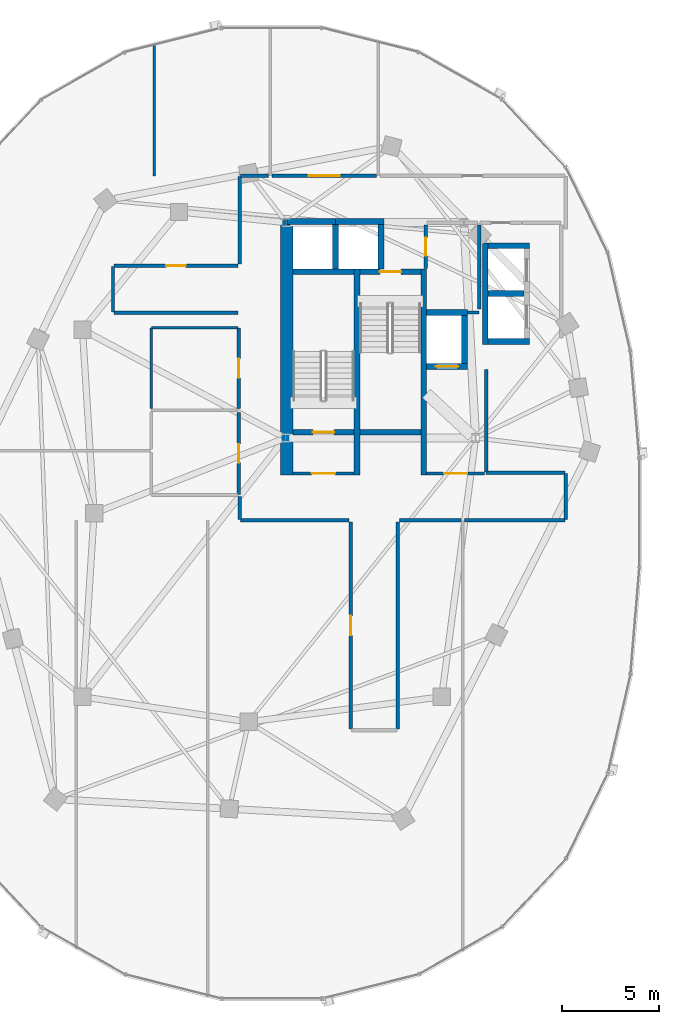
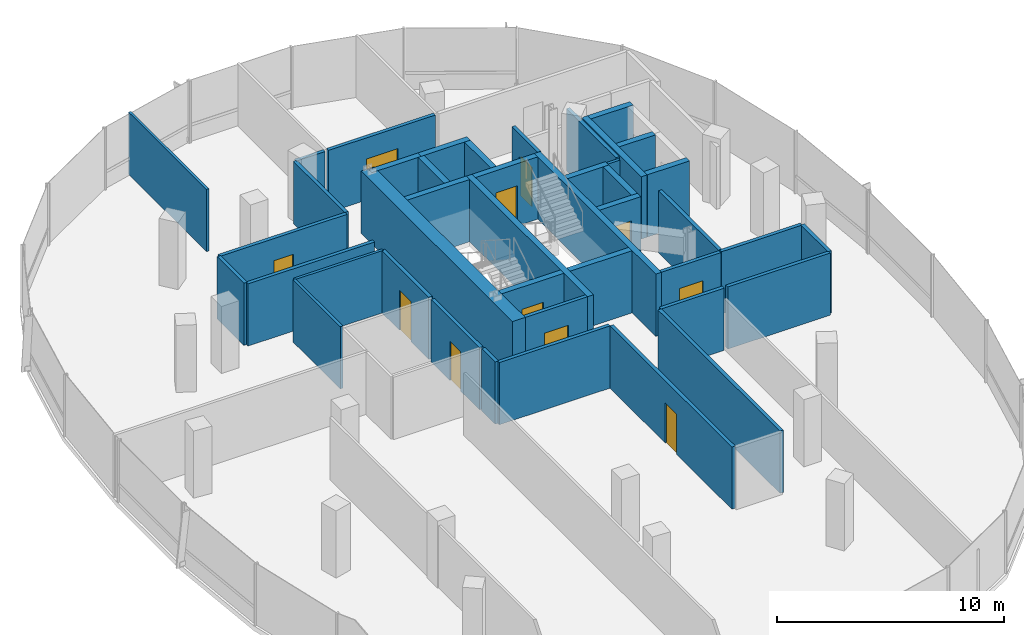
# One storey, part 15 of 25: 43 walls, 11 doors, 11 openings.
"""IFC4 building model written with IfcOpenShell, lengths in metres."""

from ifc_helpers import new_model, si_unit, direction, frame, frame_2d, origin, place, context, subcontext, project, spatial, rectangle, extrude, material, layer, layer_set, type_object, element, fill, save


model = new_model("IFC4")

# Units and contexts
model_context = context("Model", 3, precision=1e-05, world=origin(), true_north=direction((0.0, 1.0)))
body_context = subcontext(model_context, "Body", "Model", "MODEL_VIEW")
ifc_project = project(units=[si_unit("LENGTHUNIT", "METRE"), si_unit("AREAUNIT", "SQUARE_METRE"), si_unit("VOLUMEUNIT", "CUBIC_METRE"), si_unit("PLANEANGLEUNIT", "RADIAN"), si_unit("MASSUNIT", "GRAM", prefix="KILO"), si_unit("THERMODYNAMICTEMPERATUREUNIT", "KELVIN"), si_unit("POWERUNIT", "WATT")], contexts=[model_context])

# Site, building, storey
site_placement = place(None, origin())
site = spatial("IfcSite", under=ifc_project, at=site_placement, CompositionType="ELEMENT")
building_placement = place(site_placement, origin())
building = spatial("IfcBuilding", under=site, at=building_placement, Name="Cundina Bronze Exchange", CompositionType="ELEMENT")
storey_placement = place(building_placement, frame((0.0, 0.0, 191.800048828125)))
storey = spatial("IfcBuildingStorey", under=building, at=storey_placement, Name="L50", CompositionType="ELEMENT", Elevation=191.800048828125)

# Wall
ifc_material_1 = material(Name="Gypsum Fireboard Partition EI120")
ifc_layer_1 = layer(ifc_material_1, 0.179931640625, Name="Gypsum Fireboard Partition EI120")
ifc_layer_set_1 = layer_set([ifc_layer_1], Name="Gypsum Fireboard Partition EI120")
wall_type_1 = type_object("IfcWallType", Name="WL-COR-180", PredefinedType="PARTITIONING", material=ifc_layer_set_1)
wall_1_placement = place(storey_placement, frame((-20.889892578125, 2.14990234375, 0.0), z_axis=(0.0, 0.0, 1.0), x_axis=(0.0, 1.0, 0.0)))
element("IfcWall", 1, at=wall_1_placement, inside=storey, type_object=wall_type_1, Name="L50 W Firefighting Lobby Side Wall", PredefinedType="PARTITIONING", context=body_context, shape_type="SweptSolid", body=[
    extrude(rectangle(XDim=5.300048828125, YDim=0.179931640625, at=frame_2d((2.64990234375, 0.0))), origin(), (0.0, 0.0, 1.0), 3.33984375),
])

# Wall, opening, door
wall_2_placement = place(storey_placement, frame((-23.97998046875, 2.06005859375, 0.0), z_axis=(0.0, 0.0, 1.0), x_axis=(1.0, 0.0, 0.0)))
wall_2 = element("IfcWall", 2, at=wall_2_placement, inside=storey, type_object=wall_type_1, Name="L50 W Firefighting Lobby Exit Wall", PredefinedType="PARTITIONING", context=body_context, shape_type="SweptSolid", body=[
    extrude(rectangle(XDim=3.0, YDim=0.179931640625, at=frame_2d((1.5, 0.0))), origin(), (0.0, 0.0, 1.0), 3.33984375),
])
opening_1_placement = place(wall_2_placement, frame((0.89990234375, 0.0, 0.0)))
opening_1 = element("IfcOpeningElement", 3, at=opening_1_placement, cuts=wall_2, Name="Opening DF-01", PredefinedType="OPENING", context=body_context, shape_type="SweptSolid", body=[
    extrude(rectangle(XDim=1.199951171875, YDim=2.14990234375, at=frame_2d((0.60009765625, 1.074951171875))), frame((0.0, 0.099853515625, 0.0), z_axis=(0.0, -1.0, 0.0), x_axis=(1.0, 0.0, 0.0)), (0.0, 0.0, 1.0), 0.199951171875),
])
ifc_material_2 = material(Name="Steel ASTM A36 Painted", Category="steel")
door_type_1 = type_object("IfcDoorType", Name="DR-FFL-1200", OperationType="NOTDEFINED", PredefinedType="DOOR", material=ifc_material_2)
door_1_placement = place(opening_1_placement, origin())
door_1 = element("IfcDoor", 4, at=door_1_placement, inside=storey, type_object=door_type_1, Name="L50 W Firefighting Lobby Door", OperationType="SINGLE_SWING_RIGHT", OverallHeight=2.14990234375, OverallWidth=1.199951171875, PredefinedType="DOOR", context=body_context, shape_type="SweptSolid", body=[
    extrude(rectangle(XDim=1.199951171875, YDim=2.14990234375, at=frame_2d((0.60009765625, 1.074951171875))), frame((0.0, 0.02490234375, 0.0), z_axis=(0.0, -1.0, 0.0), x_axis=(1.0, 0.0, 0.0)), (0.0, 0.0, 1.0), 0.050048828125),
])
fill(opening_1, door_1)

wall_3_placement = place(storey_placement, frame((-30.89990234375, 2.06005859375, 0.0), z_axis=(0.0, 0.0, 1.0), x_axis=(1.0, 0.0, 0.0)))
wall_3 = element("IfcWall", 5, at=wall_3_placement, inside=storey, type_object=wall_type_1, Name="L50 W Stair Vestibule Exit Wall", PredefinedType="PARTITIONING", context=body_context, shape_type="SweptSolid", body=[
    extrude(rectangle(XDim=3.159912109375, YDim=0.179931640625, at=frame_2d((1.580078125, 0.0))), origin(), (0.0, 0.0, 1.0), 3.33984375),
])
opening_2_placement = place(wall_3_placement, frame((0.97998046875, 0.0, 0.0)))
opening_2 = element("IfcOpeningElement", 6, at=opening_2_placement, cuts=wall_3, Name="Opening DF-01", PredefinedType="OPENING", context=body_context, shape_type="SweptSolid", body=[
    extrude(rectangle(XDim=1.199951171875, YDim=2.14990234375, at=frame_2d((0.60009765625, 1.074951171875))), frame((0.0, 0.099853515625, 0.0), z_axis=(0.0, -1.0, 0.0), x_axis=(1.0, 0.0, 0.0)), (0.0, 0.0, 1.0), 0.199951171875),
])
door_2_placement = place(opening_2_placement, origin())
door_2 = element("IfcDoor", 7, at=door_2_placement, inside=storey, type_object=door_type_1, Name="L50 W Stair Vestibule Door", OperationType="SINGLE_SWING_LEFT", OverallHeight=2.14990234375, OverallWidth=1.199951171875, PredefinedType="DOOR", context=body_context, shape_type="SweptSolid", body=[
    extrude(rectangle(XDim=1.199951171875, YDim=2.14990234375, at=frame_2d((0.60009765625, 1.074951171875))), frame((0.0, 0.02490234375, 0.0), z_axis=(0.0, -1.0, 0.0), x_axis=(1.0, 0.0, 0.0)), (0.0, 0.0, 1.0), 0.050048828125),
])
fill(opening_2, door_2)

# Wall
wall_4_placement = place(storey_placement, frame((-21.25, 10.570068359375, 0.0), z_axis=(0.0, 0.0, 1.0), x_axis=(0.0, 1.0, 0.0)))
element("IfcWall", 8, at=wall_4_placement, inside=storey, type_object=wall_type_1, Name="L50 Interior Partition 005", PredefinedType="PARTITIONING", context=body_context, shape_type="SweptSolid", body=[
    extrude(rectangle(XDim=4.35986328125, YDim=0.179931640625, at=frame_2d((2.179931640625, 0.0))), origin(), (0.0, 0.0, 1.0), 3.33984375),
])

# Wall, opening, door
wall_5_placement = place(storey_placement, frame((-24.02001953125, 12.669921875, 0.0), z_axis=(0.0, 0.0, 1.0), x_axis=(0.0, 1.0, 0.0)))
wall_5 = element("IfcWall", 9, at=wall_5_placement, inside=storey, type_object=wall_type_1, Name="L50 Interior Partition 007", PredefinedType="PARTITIONING", context=body_context, shape_type="SweptSolid", body=[
    extrude(rectangle(XDim=2.260009765625, YDim=0.179931640625, at=frame_2d((1.1298828125, 0.0))), origin(), (0.0, 0.0, 1.0), 3.33984375),
])
opening_3_placement = place(wall_5_placement, frame((0.655029296875, 0.0, 0.0)))
opening_3 = element("IfcOpeningElement", 10, at=opening_3_placement, cuts=wall_5, Name="Opening DW-01", PredefinedType="OPENING", context=body_context, shape_type="SweptSolid", body=[
    extrude(rectangle(XDim=0.949951171875, YDim=2.10009765625, at=frame_2d((0.47509765625, 1.050048828125))), frame((0.0, 0.099853515625, 0.0), z_axis=(0.0, -1.0, 0.0), x_axis=(1.0, 0.0, 0.0)), (0.0, 0.0, 1.0), 0.199951171875),
])
ifc_material_3 = material(Name="Solid Andean Oak Timber Grade A", Category="wood")
door_type_2 = type_object("IfcDoorType", Name="DR-WC-950", OperationType="NOTDEFINED", PredefinedType="DOOR", material=ifc_material_3)
door_3_placement = place(opening_3_placement, origin())
door_3 = element("IfcDoor", 11, at=door_3_placement, inside=storey, type_object=door_type_2, Name="L50 Interior Door 007", OperationType="SINGLE_SWING_LEFT", OverallHeight=2.10009765625, OverallWidth=0.949951171875, PredefinedType="DOOR", context=body_context, shape_type="SweptSolid", body=[
    extrude(rectangle(XDim=0.949951171875, YDim=2.10009765625, at=frame_2d((0.47509765625, 1.050048828125))), frame((0.0, 0.02490234375, 0.0), z_axis=(0.0, -1.0, 0.0), x_axis=(1.0, 0.0, 0.0)), (0.0, 0.0, 1.0), 0.050048828125),
])
fill(opening_3, door_3)

wall_6_placement = place(storey_placement, frame((-33.719970703125, 0.969970703125, 0.0), z_axis=(0.0, 0.0, 1.0), x_axis=(0.0, 1.0, 0.0)))
wall_6 = element("IfcWall", 12, at=wall_6_placement, inside=storey, type_object=wall_type_1, Name="L50 Interior Partition 014", PredefinedType="PARTITIONING", context=body_context, shape_type="SweptSolid", body=[
    extrude(rectangle(XDim=4.260009765625, YDim=0.179931640625, at=frame_2d((2.1298828125, 0.0))), origin(), (0.0, 0.0, 1.0), 3.33984375),
])
opening_4_placement = place(wall_6_placement, frame((1.655029296875, 0.0, 0.0)))
opening_4 = element("IfcOpeningElement", 13, at=opening_4_placement, cuts=wall_6, Name="Opening DW-01", PredefinedType="OPENING", context=body_context, shape_type="SweptSolid", body=[
    extrude(rectangle(XDim=0.949951171875, YDim=2.10009765625, at=frame_2d((0.47509765625, 1.050048828125))), frame((0.0, 0.099853515625, 0.0), z_axis=(0.0, -1.0, 0.0), x_axis=(1.0, 0.0, 0.0)), (0.0, 0.0, 1.0), 0.199951171875),
])
door_4_placement = place(opening_4_placement, origin())
door_4 = element("IfcDoor", 14, at=door_4_placement, inside=storey, type_object=door_type_2, Name="L50 Interior Door 014", OperationType="SINGLE_SWING_LEFT", OverallHeight=2.10009765625, OverallWidth=0.949951171875, PredefinedType="DOOR", context=body_context, shape_type="SweptSolid", body=[
    extrude(rectangle(XDim=0.949951171875, YDim=2.10009765625, at=frame_2d((0.47509765625, 1.050048828125))), frame((0.0, 0.02490234375, 0.0), z_axis=(0.0, -1.0, 0.0), x_axis=(1.0, 0.0, 0.0)), (0.0, 0.0, 1.0), 0.050048828125),
])
fill(opening_4, door_4)

wall_7_placement = place(storey_placement, frame((-33.719970703125, 5.429931640625, 0.0), z_axis=(0.0, 0.0, 1.0), x_axis=(0.0, 1.0, 0.0)))
wall_7 = element("IfcWall", 15, at=wall_7_placement, inside=storey, type_object=wall_type_1, Name="L50 Interior Partition 015", PredefinedType="PARTITIONING", context=body_context, shape_type="SweptSolid", body=[
    extrude(rectangle(XDim=4.16015625, YDim=0.179931640625, at=frame_2d((2.080078125, 0.0))), origin(), (0.0, 0.0, 1.0), 3.33984375),
])
opening_5_placement = place(wall_7_placement, frame((1.580078125, 0.0, 0.0)))
opening_5 = element("IfcOpeningElement", 16, at=opening_5_placement, cuts=wall_7, Name="Opening DO-01", PredefinedType="OPENING", context=body_context, shape_type="SweptSolid", body=[
    extrude(rectangle(XDim=1.0, YDim=2.14990234375, at=frame_2d((0.5, 1.074951171875))), frame((0.0, 0.099853515625, 0.0), z_axis=(0.0, -1.0, 0.0), x_axis=(1.0, 0.0, 0.0)), (0.0, 0.0, 1.0), 0.199951171875),
])
door_type_3 = type_object("IfcDoorType", Name="DR-OFF-1000", OperationType="NOTDEFINED", PredefinedType="DOOR", material=ifc_material_3)
door_5_placement = place(opening_5_placement, origin())
door_5 = element("IfcDoor", 17, at=door_5_placement, inside=storey, type_object=door_type_3, Name="L50 Interior Door 015", OperationType="SINGLE_SWING_LEFT", OverallHeight=2.14990234375, OverallWidth=1.0, PredefinedType="DOOR", context=body_context, shape_type="SweptSolid", body=[
    extrude(rectangle(XDim=1.0, YDim=2.14990234375, at=frame_2d((0.5, 1.074951171875))), frame((0.0, 0.02490234375, 0.0), z_axis=(0.0, -1.0, 0.0), x_axis=(1.0, 0.0, 0.0)), (0.0, 0.0, 1.0), 0.050048828125),
])
fill(opening_5, door_5)

wall_8_placement = place(storey_placement, frame((-27.919921875, -0.449951171875, 0.0), z_axis=(0.0, 0.0, 1.0), x_axis=(0.0, -1.0, 0.0)))
wall_8 = element("IfcWall", 18, at=wall_8_placement, inside=storey, type_object=wall_type_1, Name="L50 Interior Partition 023", PredefinedType="PARTITIONING", context=body_context, shape_type="SweptSolid", body=[
    extrude(rectangle(XDim=10.728515625, YDim=0.179931640625, at=frame_2d((5.3642578125, 0.0))), origin(), (0.0, 0.0, 1.0), 3.33984375),
])
opening_6_placement = place(wall_8_placement, frame((4.8642578125, 0.0, 0.0)))
opening_6 = element("IfcOpeningElement", 19, at=opening_6_placement, cuts=wall_8, Name="Opening DO-01", PredefinedType="OPENING", context=body_context, shape_type="SweptSolid", body=[
    extrude(rectangle(XDim=1.0, YDim=2.14990234375, at=frame_2d((0.5, 1.074951171875))), frame((0.0, 0.099853515625, 0.0), z_axis=(0.0, -1.0, 0.0), x_axis=(1.0, 0.0, 0.0)), (0.0, 0.0, 1.0), 0.199951171875),
])
door_6_placement = place(opening_6_placement, origin())
door_6 = element("IfcDoor", 20, at=door_6_placement, inside=storey, type_object=door_type_3, Name="L50 Interior Door 023", OperationType="SINGLE_SWING_LEFT", OverallHeight=2.14990234375, OverallWidth=1.0, PredefinedType="DOOR", context=body_context, shape_type="SweptSolid", body=[
    extrude(rectangle(XDim=1.0, YDim=2.14990234375, at=frame_2d((0.5, 1.074951171875))), frame((0.0, 0.02490234375, 0.0), z_axis=(0.0, -1.0, 0.0), x_axis=(1.0, 0.0, 0.0)), (0.0, 0.0, 1.0), 0.050048828125),
])
fill(opening_6, door_6)

# Walls
wall_9_placement = place(storey_placement, frame((-25.47998046875, -11.178466796875, 0.0), z_axis=(0.0, 0.0, 1.0), x_axis=(0.0, 1.0, 0.0)))
element("IfcWall", 21, at=wall_9_placement, inside=storey, type_object=wall_type_1, Name="L50 Interior Partition 024", PredefinedType="PARTITIONING", context=body_context, shape_type="SweptSolid", body=[
    extrude(rectangle(XDim=10.728515625, YDim=0.179931640625, at=frame_2d((5.3642578125, 0.0))), origin(), (0.0, 0.0, 1.0), 3.33984375),
])
wall_10_placement = place(storey_placement, frame((-33.62841796875, -0.3701171875, 0.0), z_axis=(0.0, 0.0, 1.0), x_axis=(1.0, 0.0, 0.0)))
element("IfcWall", 22, at=wall_10_placement, inside=storey, type_object=wall_type_1, Name="L50 Interior Partition 025", PredefinedType="PARTITIONING", context=body_context, shape_type="SweptSolid", body=[
    extrude(rectangle(XDim=5.62841796875, YDim=0.179931640625, at=frame_2d((2.814208984375, 0.0))), origin(), (0.0, 0.0, 1.0), 3.33984375),
])
wall_11_placement = place(storey_placement, frame((-25.39990234375, -0.3701171875, 0.0), z_axis=(0.0, 0.0, 1.0), x_axis=(1.0, 0.0, 0.0)))
element("IfcWall", 23, at=wall_11_placement, inside=storey, type_object=wall_type_1, Name="L50 Interior Partition 026", PredefinedType="PARTITIONING", context=body_context, shape_type="SweptSolid", body=[
    extrude(rectangle(XDim=3.18994140625, YDim=0.179931640625, at=frame_2d((1.594970703125, 0.0))), origin(), (0.0, 0.0, 1.0), 3.33984375),
])
wall_12_placement = place(storey_placement, frame((-33.669921875, 0.858642578125, 0.0), z_axis=(0.0, 0.0, 1.0), x_axis=(0.0, -1.0, 0.0)))
element("IfcWall", 24, at=wall_12_placement, inside=storey, type_object=wall_type_1, Name="L50 Interior Partition 028", PredefinedType="PARTITIONING", context=body_context, shape_type="SweptSolid", body=[
    extrude(rectangle(XDim=1.187255859375, YDim=0.179931640625, at=frame_2d((0.59375, 0.0))), origin(), (0.0, 0.0, 1.0), 3.33984375),
])
wall_13_placement = place(storey_placement, frame((-22.030029296875, -0.3701171875, 0.0), z_axis=(0.0, 0.0, 1.0), x_axis=(1.0, 0.0, 0.0)))
element("IfcWall", 25, at=wall_13_placement, inside=storey, type_object=wall_type_1, Name="L50 Interior Partition 030", PredefinedType="PARTITIONING", context=body_context, shape_type="SweptSolid", body=[
    extrude(rectangle(XDim=5.20849609375, YDim=0.179931640625, at=frame_2d((2.604248046875, 0.0))), origin(), (0.0, 0.0, 1.0), 3.33984375),
])
wall_14_placement = place(storey_placement, frame((-16.821533203125, 2.10009765625, 0.0), z_axis=(0.0, 0.0, 1.0), x_axis=(-1.0, 0.0, 0.0)))
element("IfcWall", 26, at=wall_14_placement, inside=storey, type_object=wall_type_1, Name="L50 Interior Partition 031", PredefinedType="PARTITIONING", context=body_context, shape_type="SweptSolid", body=[
    extrude(rectangle(XDim=4.098388671875, YDim=0.179931640625, at=frame_2d((2.04931640625, 0.0))), origin(), (0.0, 0.0, 1.0), 3.33984375),
])
wall_15_placement = place(storey_placement, frame((-16.780029296875, -0.32861328125, 0.0), z_axis=(0.0, 0.0, 1.0), x_axis=(0.0, 1.0, 0.0)))
element("IfcWall", 27, at=wall_15_placement, inside=storey, type_object=wall_type_1, Name="L50 Interior Partition 033", PredefinedType="PARTITIONING", context=body_context, shape_type="SweptSolid", body=[
    extrude(rectangle(XDim=2.38720703125, YDim=0.179931640625, at=frame_2d((1.193603515625, 0.0))), origin(), (0.0, 0.0, 1.0), 3.33984375),
])

# Wall, opening, door
wall_16_placement = place(storey_placement, frame((-33.75, 12.820068359375, 0.0), z_axis=(0.0, 0.0, 1.0), x_axis=(-1.0, 0.0, 0.0)))
wall_16 = element("IfcWall", 28, at=wall_16_placement, inside=storey, type_object=wall_type_1, Name="L50 Interior Partition 034", PredefinedType="PARTITIONING", context=body_context, shape_type="SweptSolid", body=[
    extrude(rectangle(XDim=6.428466796875, YDim=0.179931640625, at=frame_2d((3.21435546875, 0.0))), origin(), (0.0, 0.0, 1.0), 3.33984375),
])
opening_7_placement = place(wall_16_placement, frame((2.714111328125, 0.0, 0.0)))
opening_7 = element("IfcOpeningElement", 29, at=opening_7_placement, cuts=wall_16, Name="Opening DO-01", PredefinedType="OPENING", context=body_context, shape_type="SweptSolid", body=[
    extrude(rectangle(XDim=1.0, YDim=2.14990234375, at=frame_2d((0.5, 1.074951171875))), frame((0.0, 0.099853515625, 0.0), z_axis=(0.0, -1.0, 0.0), x_axis=(1.0, 0.0, 0.0)), (0.0, 0.0, 1.0), 0.199951171875),
])
door_7_placement = place(opening_7_placement, origin())
door_7 = element("IfcDoor", 30, at=door_7_placement, inside=storey, type_object=door_type_3, Name="L50 Interior Door 034", OperationType="SINGLE_SWING_LEFT", OverallHeight=2.14990234375, OverallWidth=1.0, PredefinedType="DOOR", context=body_context, shape_type="SweptSolid", body=[
    extrude(rectangle(XDim=1.0, YDim=2.14990234375, at=frame_2d((0.5, 1.074951171875))), frame((0.0, 0.02490234375, 0.0), z_axis=(0.0, -1.0, 0.0), x_axis=(1.0, 0.0, 0.0)), (0.0, 0.0, 1.0), 0.050048828125),
])
fill(opening_7, door_7)

# Walls
wall_17_placement = place(storey_placement, frame((-40.178466796875, 10.3798828125, 0.0), z_axis=(0.0, 0.0, 1.0), x_axis=(1.0, 0.0, 0.0)))
element("IfcWall", 31, at=wall_17_placement, inside=storey, type_object=wall_type_1, Name="L50 Interior Partition 035", PredefinedType="PARTITIONING", context=body_context, shape_type="SweptSolid", body=[
    extrude(rectangle(XDim=6.428466796875, YDim=0.179931640625, at=frame_2d((3.21435546875, 0.0))), origin(), (0.0, 0.0, 1.0), 3.33984375),
])
wall_18_placement = place(storey_placement, frame((-33.669921875, 17.428466796875, 0.0), z_axis=(0.0, 0.0, 1.0), x_axis=(0.0, -1.0, 0.0)))
element("IfcWall", 32, at=wall_18_placement, inside=storey, type_object=wall_type_1, Name="L50 Interior Partition 036", PredefinedType="PARTITIONING", context=body_context, shape_type="SweptSolid", body=[
    extrude(rectangle(XDim=4.528564453125, YDim=0.179931640625, at=frame_2d((2.26416015625, 0.0))), origin(), (0.0, 0.0, 1.0), 3.33984375),
])
wall_19_placement = place(storey_placement, frame((-40.219970703125, 12.778564453125, 0.0), z_axis=(0.0, 0.0, 1.0), x_axis=(0.0, -1.0, 0.0)))
element("IfcWall", 33, at=wall_19_placement, inside=storey, type_object=wall_type_1, Name="L50 Interior Partition 037", PredefinedType="PARTITIONING", context=body_context, shape_type="SweptSolid", body=[
    extrude(rectangle(XDim=2.357177734375, YDim=0.179931640625, at=frame_2d((1.1787109375, 0.0))), origin(), (0.0, 0.0, 1.0), 3.33984375),
])
wall_20_placement = place(storey_placement, frame((-32.169921875, 17.469970703125, 0.0), z_axis=(0.0, 0.0, 1.0), x_axis=(-1.0, 0.0, 0.0)))
element("IfcWall", 34, at=wall_20_placement, inside=storey, type_object=wall_type_1, Name="L50 Interior Partition 038", PredefinedType="PARTITIONING", context=body_context, shape_type="SweptSolid", body=[
    extrude(rectangle(XDim=1.45849609375, YDim=0.179931640625, at=frame_2d((0.729248046875, 0.0))), origin(), (0.0, 0.0, 1.0), 3.33984375),
])

# Wall, opening, door
wall_21_placement = place(storey_placement, frame((-26.570068359375, 17.469970703125, 0.0), z_axis=(0.0, 0.0, 1.0), x_axis=(-1.0, 0.0, 0.0)))
wall_21 = element("IfcWall", 35, at=wall_21_placement, inside=storey, type_object=wall_type_1, Name="L50 Interior Partition 039", PredefinedType="PARTITIONING", context=body_context, shape_type="SweptSolid", body=[
    extrude(rectangle(XDim=5.419921875, YDim=0.179931640625, at=frame_2d((2.7099609375, 0.0))), origin(), (0.0, 0.0, 1.0), 3.33984375),
])
opening_8_placement = place(wall_21_placement, frame((1.909912109375, 0.0, 0.0)))
opening_8 = element("IfcOpeningElement", 36, at=opening_8_placement, cuts=wall_21, Name="Opening DO-02", PredefinedType="OPENING", context=body_context, shape_type="SweptSolid", body=[
    extrude(rectangle(XDim=1.60009765625, YDim=2.199951171875, at=frame_2d((0.800048828125, 1.10009765625))), frame((0.0, 0.099853515625, 0.0), z_axis=(0.0, -1.0, 0.0), x_axis=(1.0, 0.0, 0.0)), (0.0, 0.0, 1.0), 0.199951171875),
])
door_type_4 = type_object("IfcDoorType", Name="DR-TRD-1600", OperationType="NOTDEFINED", PredefinedType="DOOR", material=ifc_material_3)
door_8_placement = place(opening_8_placement, origin())
door_8 = element("IfcDoor", 37, at=door_8_placement, inside=storey, type_object=door_type_4, Name="L50 Interior Door 039", OperationType="SINGLE_SWING_RIGHT", OverallHeight=2.199951171875, OverallWidth=1.60009765625, PredefinedType="DOOR", context=body_context, shape_type="SweptSolid", body=[
    extrude(rectangle(XDim=1.60009765625, YDim=2.199951171875, at=frame_2d((0.800048828125, 1.10009765625))), frame((0.0, 0.02490234375, 0.0), z_axis=(0.0, -1.0, 0.0), x_axis=(1.0, 0.0, 0.0)), (0.0, 0.0, 1.0), 0.050048828125),
])
fill(opening_8, door_8)

# Walls
ifc_material_4 = material(Name="Concrete C50/60", Category="concrete")
ifc_layer_2 = layer(ifc_material_4, 0.64990234375, Name="Concrete C50/60", Category="concrete")
ifc_layer_set_2 = layer_set([ifc_layer_2], Name="Concrete C50/60")
wall_type_2 = type_object("IfcWallType", Name="WL-CORE-650", PredefinedType="SHEAR", material=ifc_layer_set_2)
wall_22_placement = place(storey_placement, frame((-31.22509765625, 1.969970703125, 0.0), z_axis=(0.0, 0.0, 1.0), x_axis=(0.0, 1.0, 0.0)))
element("IfcWall", 38, at=wall_22_placement, inside=storey, type_object=wall_type_2, Name="L50 W Primary Core Shear Spine Wall", PredefinedType="SHEAR", context=body_context, shape_type="SweptSolid", body=[
    extrude(rectangle(XDim=13.330078125, YDim=0.64990234375, at=frame_2d((6.6650390625, 0.0))), origin(), (0.0, 0.0, 1.0), 3.33984375),
])
ifc_material_5 = material(Name="Gypsum Acoustic Partition EI60")
ifc_layer_3 = layer(ifc_material_5, 0.125, Name="Gypsum Acoustic Partition EI60")
ifc_layer_set_3 = layer_set([ifc_layer_3], Name="Gypsum Acoustic Partition EI60")
wall_type_3 = type_object("IfcWallType", Name="WL-OFF-125", PredefinedType="PARTITIONING", material=ifc_layer_set_3)
wall_23_placement = place(storey_placement, frame((-38.080078125, 17.469970703125, 0.0), z_axis=(0.0, 0.0, 1.0), x_axis=(0.0, 1.0, 0.0)))
element("IfcWall", 39, at=wall_23_placement, inside=storey, type_object=wall_type_3, Name="L50 Interior Partition 020", PredefinedType="PARTITIONING", context=body_context, shape_type="SweptSolid", body=[
    extrude(rectangle(XDim=6.85009765625, YDim=0.125, at=frame_2d((3.425048828125, 0.0))), origin(), (0.0, 0.0, 1.0), 3.33984375),
])
ifc_layer_4 = layer(ifc_material_4, 0.300048828125, Name="Concrete C50/60", Category="concrete")
ifc_layer_set_4 = layer_set([ifc_layer_4], Name="Concrete C50/60")
wall_type_4 = type_object("IfcWallType", Name="WL-SHFT-300", PredefinedType="SHEAR", material=ifc_layer_set_4)
for number, where, z_axis, x_axis, name in (
    (40, (-27.590087890625, 1.969970703125, 0.0), (0.0, 0.0, 1.0), (0.0, 1.0, 0.0), "L50 W Stair Shaft Dividing Shear Wall"),
    (41, (-24.1298828125, 1.969970703125, 0.0), (0.0, 0.0, 1.0), (0.0, 1.0, 0.0), "L50 W Stair 2 East Shear Wall"),
):
    element("IfcWall", number, at=place(storey_placement, frame(where, z_axis=z_axis, x_axis=x_axis)), inside=storey, type_object=wall_type_4, Name=name, PredefinedType="SHEAR", context=body_context, shape_type="SweptSolid", body=[
        extrude(rectangle(XDim=10.679931640625, YDim=0.300048828125, at=frame_2d((5.33984375, 0.0))), origin(), (0.0, 0.0, 1.0), 3.33984375),
    ])

# Wall, opening, door
wall_24_placement = place(storey_placement, frame((-30.89990234375, 4.199951171875, 0.0), z_axis=(0.0, 0.0, 1.0), x_axis=(1.0, 0.0, 0.0)))
wall_24 = element("IfcWall", 42, at=wall_24_placement, inside=storey, type_object=wall_type_4, Name="L50 Stair W1 Landing Wall", PredefinedType="SHEAR", context=body_context, shape_type="SweptSolid", body=[
    extrude(rectangle(XDim=3.159912109375, YDim=0.300048828125, at=frame_2d((1.580078125, 0.0))), origin(), (0.0, 0.0, 1.0), 3.33984375),
])
opening_9_placement = place(wall_24_placement, frame((1.030029296875, 0.0, 0.0)))
opening_9 = element("IfcOpeningElement", 43, at=opening_9_placement, cuts=wall_24, Name="Opening DS-01", PredefinedType="OPENING", context=body_context, shape_type="SweptSolid", body=[
    extrude(rectangle(XDim=1.10009765625, YDim=2.14990234375, at=frame_2d((0.550048828125, 1.074951171875))), frame((0.0, 0.159912109375, 0.0), z_axis=(0.0, -1.0, 0.0), x_axis=(1.0, 0.0, 0.0)), (0.0, 0.0, 1.0), 0.320068359375),
])
door_type_5 = type_object("IfcDoorType", Name="DR-STR-1100", OperationType="NOTDEFINED", PredefinedType="DOOR", material=ifc_material_2)
door_9_placement = place(opening_9_placement, origin())
door_9 = element("IfcDoor", 44, at=door_9_placement, inside=storey, type_object=door_type_5, Name="L50 Smokeproof Stair W1 Door", OperationType="SINGLE_SWING_RIGHT", OverallHeight=2.14990234375, OverallWidth=1.10009765625, PredefinedType="DOOR", context=body_context, shape_type="SweptSolid", body=[
    extrude(rectangle(XDim=1.10009765625, YDim=2.14990234375, at=frame_2d((0.550048828125, 1.074951171875))), frame((0.0, 0.02490234375, 0.0), z_axis=(0.0, -1.0, 0.0), x_axis=(1.0, 0.0, 0.0)), (0.0, 0.0, 1.0), 0.050048828125),
])
fill(opening_9, door_9)

# Wall
wall_25_placement = place(storey_placement, frame((-30.89990234375, 12.5, 0.0), z_axis=(0.0, 0.0, 1.0), x_axis=(1.0, 0.0, 0.0)))
element("IfcWall", 45, at=wall_25_placement, inside=storey, type_object=wall_type_4, Name="L50 Stair W1 Far Shaft Wall", PredefinedType="SHEAR", context=body_context, shape_type="SweptSolid", body=[
    extrude(rectangle(XDim=3.159912109375, YDim=0.300048828125, at=frame_2d((1.580078125, 0.0))), origin(), (0.0, 0.0, 1.0), 3.33984375),
])

# Wall, opening, door
wall_26_placement = place(storey_placement, frame((-27.43994140625, 12.5, 0.0), z_axis=(0.0, 0.0, 1.0), x_axis=(1.0, 0.0, 0.0)))
wall_26 = element("IfcWall", 46, at=wall_26_placement, inside=storey, type_object=wall_type_4, Name="L50 Stair W2 Landing Wall", PredefinedType="SHEAR", context=body_context, shape_type="SweptSolid", body=[
    extrude(rectangle(XDim=3.159912109375, YDim=0.300048828125, at=frame_2d((1.580078125, 0.0))), origin(), (0.0, 0.0, 1.0), 3.33984375),
])
opening_10_placement = place(wall_26_placement, frame((1.030029296875, 0.0, 0.0)))
opening_10 = element("IfcOpeningElement", 47, at=opening_10_placement, cuts=wall_26, Name="Opening DS-01", PredefinedType="OPENING", context=body_context, shape_type="SweptSolid", body=[
    extrude(rectangle(XDim=1.10009765625, YDim=2.14990234375, at=frame_2d((0.550048828125, 1.074951171875))), frame((0.0, 0.159912109375, 0.0), z_axis=(0.0, -1.0, 0.0), x_axis=(1.0, 0.0, 0.0)), (0.0, 0.0, 1.0), 0.320068359375),
])
door_10_placement = place(opening_10_placement, origin())
door_10 = element("IfcDoor", 48, at=door_10_placement, inside=storey, type_object=door_type_5, Name="L50 Smokeproof Stair W2 Door", OperationType="SINGLE_SWING_LEFT", OverallHeight=2.14990234375, OverallWidth=1.10009765625, PredefinedType="DOOR", context=body_context, shape_type="SweptSolid", body=[
    extrude(rectangle(XDim=1.10009765625, YDim=2.14990234375, at=frame_2d((0.550048828125, 1.074951171875))), frame((0.0, 0.02490234375, 0.0), z_axis=(0.0, -1.0, 0.0), x_axis=(1.0, 0.0, 0.0)), (0.0, 0.0, 1.0), 0.050048828125),
])
fill(opening_10, door_10)

# Wall
wall_27_placement = place(storey_placement, frame((-27.43994140625, 4.199951171875, 0.0), z_axis=(0.0, 0.0, 1.0), x_axis=(1.0, 0.0, 0.0)))
element("IfcWall", 49, at=wall_27_placement, inside=storey, type_object=wall_type_4, Name="L50 Stair W2 Far Shaft Wall", PredefinedType="SHEAR", context=body_context, shape_type="SweptSolid", body=[
    extrude(rectangle(XDim=3.159912109375, YDim=0.300048828125, at=frame_2d((1.580078125, 0.0))), origin(), (0.0, 0.0, 1.0), 3.33984375),
])

# Wall, opening, door
wall_28_placement = place(storey_placement, frame((-23.97998046875, 7.60009765625, 0.0), z_axis=(0.0, 0.0, 1.0), x_axis=(1.0, 0.0, 0.0)))
wall_28 = element("IfcWall", 50, at=wall_28_placement, inside=storey, type_object=wall_type_4, Name="L50 FFL-W Hoistway Front Wall", PredefinedType="SHEAR", context=body_context, shape_type="SweptSolid", body=[
    extrude(rectangle(XDim=2.10009765625, YDim=0.300048828125, at=frame_2d((1.050048828125, 0.0))), origin(), (0.0, 0.0, 1.0), 3.33984375),
])
opening_11_placement = place(wall_28_placement, frame((0.47509765625, 0.0, 0.0)))
opening_11 = element("IfcOpeningElement", 51, at=opening_11_placement, cuts=wall_28, Name="Opening LD-01", PredefinedType="OPENING", context=body_context, shape_type="SweptSolid", body=[
    extrude(rectangle(XDim=1.14990234375, YDim=2.199951171875, at=frame_2d((0.574951171875, 1.10009765625))), frame((0.0, 0.159912109375, 0.0), z_axis=(0.0, -1.0, 0.0), x_axis=(1.0, 0.0, 0.0)), (0.0, 0.0, 1.0), 0.320068359375),
])
door_type_6 = type_object("IfcDoorType", Name="DR-LND-1150", OperationType="NOTDEFINED", PredefinedType="TRAPDOOR", material=ifc_material_2)
door_11_placement = place(opening_11_placement, origin())
door_11 = element("IfcDoor", 52, at=door_11_placement, inside=storey, type_object=door_type_6, Name="L50 FFL-W Sliding Landing Door", OperationType="SLIDING_TO_LEFT", OverallHeight=2.199951171875, OverallWidth=1.14990234375, PredefinedType="TRAPDOOR", context=body_context, shape_type="SweptSolid", body=[
    extrude(rectangle(XDim=1.14990234375, YDim=2.199951171875, at=frame_2d((0.574951171875, 1.10009765625))), frame((0.0, 0.02490234375, 0.0), z_axis=(0.0, -1.0, 0.0), x_axis=(1.0, 0.0, 0.0)), (0.0, 0.0, 1.0), 0.050048828125),
])
fill(opening_11, door_11)

# Walls
wall_29_placement = place(storey_placement, frame((-23.97998046875, 10.39990234375, 0.0), z_axis=(0.0, 0.0, 1.0), x_axis=(1.0, 0.0, 0.0)))
element("IfcWall", 53, at=wall_29_placement, inside=storey, type_object=wall_type_4, Name="L50 FFL-W Hoistway Back Wall", PredefinedType="SHEAR", context=body_context, shape_type="SweptSolid", body=[
    extrude(rectangle(XDim=2.10009765625, YDim=0.300048828125, at=frame_2d((1.050048828125, 0.0))), origin(), (0.0, 0.0, 1.0), 3.33984375),
])
for number, where, z_axis, x_axis, name in (
    (54, (-22.030029296875, 7.75, 0.0), (0.0, 0.0, 1.0), (0.0, 1.0, 0.0), "L50 FFL-W Hoistway Side Wall"),
    (55, (-31.199951171875, 15.10009765625, 0.0), (0.0, 0.0, 1.0), (1.0, 0.0, 0.0), "L50 PH-W1 Hoistway Front Wall"),
):
    element("IfcWall", number, at=place(storey_placement, frame(where, z_axis=z_axis, x_axis=x_axis)), inside=storey, type_object=wall_type_4, Name=name, PredefinedType="SHEAR", context=body_context, shape_type="SweptSolid", body=[
        extrude(rectangle(XDim=2.5, YDim=0.300048828125, at=frame_2d((1.25, 0.0))), origin(), (0.0, 0.0, 1.0), 3.33984375),
    ])
wall_30_placement = place(storey_placement, frame((-28.699951171875, 12.64990234375, 0.0), z_axis=(0.0, 0.0, 1.0), x_axis=(0.0, 1.0, 0.0)))
element("IfcWall", 56, at=wall_30_placement, inside=storey, type_object=wall_type_4, Name="L50 PH-W1 Hoistway Divider Wall", PredefinedType="SHEAR", context=body_context, shape_type="SweptSolid", body=[
    extrude(rectangle(XDim=2.300048828125, YDim=0.300048828125, at=frame_2d((1.14990234375, 0.0))), origin(), (0.0, 0.0, 1.0), 3.33984375),
])
wall_31_placement = place(storey_placement, frame((-28.699951171875, 15.10009765625, 0.0), z_axis=(0.0, 0.0, 1.0), x_axis=(1.0, 0.0, 0.0)))
element("IfcWall", 57, at=wall_31_placement, inside=storey, type_object=wall_type_4, Name="L50 PH-W2 Hoistway Front Wall", PredefinedType="SHEAR", context=body_context, shape_type="SweptSolid", body=[
    extrude(rectangle(XDim=2.5, YDim=0.300048828125, at=frame_2d((1.25, 0.0))), origin(), (0.0, 0.0, 1.0), 3.33984375),
])
wall_32_placement = place(storey_placement, frame((-26.35009765625, 12.64990234375, 0.0), z_axis=(0.0, 0.0, 1.0), x_axis=(0.0, 1.0, 0.0)))
element("IfcWall", 58, at=wall_32_placement, inside=storey, type_object=wall_type_4, Name="L50 PH-W2 Hoistway Divider Wall", PredefinedType="SHEAR", context=body_context, shape_type="SweptSolid", body=[
    extrude(rectangle(XDim=2.300048828125, YDim=0.300048828125, at=frame_2d((1.14990234375, 0.0))), origin(), (0.0, 0.0, 1.0), 3.33984375),
])
wall_33_placement = place(storey_placement, frame((-20.949951171875, 8.75, 0.0), z_axis=(0.0, 0.0, 1.0), x_axis=(0.0, 1.0, 0.0)))
element("IfcWall", 59, at=wall_33_placement, inside=storey, type_object=wall_type_4, Name="L50 W Passenger Bank Hoistway Back Wall", PredefinedType="SHEAR", context=body_context, shape_type="SweptSolid", body=[
    extrude(rectangle(XDim=5.25, YDim=0.300048828125, at=frame_2d((2.625, 0.0))), origin(), (0.0, 0.0, 1.0), 3.33984375),
])
for number, where, z_axis, x_axis, name in (
    (60, (-20.800048828125, 8.89990234375, 0.0), (0.0, 0.0, 1.0), (1.0, 0.0, 0.0), "L50 W Passenger Bank South Cap Wall"),
    (61, (-20.800048828125, 13.85009765625, 0.0), (0.0, 0.0, 1.0), (1.0, 0.0, 0.0), "L50 W Passenger Bank North Cap Wall"),
):
    element("IfcWall", number, at=place(storey_placement, frame(where, z_axis=z_axis, x_axis=x_axis)), inside=storey, type_object=wall_type_4, Name=name, PredefinedType="SHEAR", context=body_context, shape_type="SweptSolid", body=[
        extrude(rectangle(XDim=2.150146484375, YDim=0.300048828125, at=frame_2d((1.0751953125, 0.0))), origin(), (0.0, 0.0, 1.0), 3.33984375),
    ])
wall_34_placement = place(storey_placement, frame((-20.800048828125, 11.375, 0.0), z_axis=(0.0, 0.0, 1.0), x_axis=(1.0, 0.0, 0.0)))
element("IfcWall", 62, at=wall_34_placement, inside=storey, type_object=wall_type_4, Name="L50 W Passenger Hoistway Divider 1", PredefinedType="SHEAR", context=body_context, shape_type="SweptSolid", body=[
    extrude(rectangle(XDim=1.85009765625, YDim=0.300048828125, at=frame_2d((0.925048828125, 0.0))), origin(), (0.0, 0.0, 1.0), 3.33984375),
])
ifc_material_6 = material(Name="Moisture-Resistant Masonry Block Grade M15", Category="masonry")
ifc_layer_5 = layer(ifc_material_6, 0.139892578125, Name="Moisture-Resistant Masonry Block Grade M15", Category="masonry")
ifc_layer_set_5 = layer_set([ifc_layer_5], Name="Moisture-Resistant Masonry Block Grade M15")
wall_type_5 = type_object("IfcWallType", Name="WL-WET-140", PredefinedType="PARTITIONING", material=ifc_layer_set_5)
wall_35_placement = place(storey_placement, frame((-21.860107421875, 10.39990234375, 0.0), z_axis=(0.0, 0.0, 1.0), x_axis=(1.0, 0.0, 0.0)))
element("IfcWall", 63, at=wall_35_placement, inside=storey, type_object=wall_type_5, Name="L50 Interior Partition 004", PredefinedType="PARTITIONING", context=body_context, shape_type="SweptSolid", body=[
    extrude(rectangle(XDim=0.590087890625, YDim=0.139892578125, at=frame_2d((0.294921875, 0.0))), origin(), (0.0, 0.0, 1.0), 3.33984375),
])
wall_36_placement = place(storey_placement, frame((-38.239990234375, 5.4150390625, 0.0), z_axis=(0.0, 0.0, 1.0), x_axis=(0.0, 1.0, 0.0)))
element("IfcWall", 64, at=wall_36_placement, inside=storey, type_object=wall_type_5, Name="L50 Interior Partition 010", PredefinedType="PARTITIONING", context=body_context, shape_type="SweptSolid", body=[
    extrude(rectangle(XDim=4.175048828125, YDim=0.139892578125, at=frame_2d((2.08740234375, 0.0))), origin(), (0.0, 0.0, 1.0), 3.33984375),
])
wall_37_placement = place(storey_placement, frame((-38.219970703125, 9.610107421875, 0.0), z_axis=(0.0, 0.0, 1.0), x_axis=(1.0, 0.0, 0.0)))
element("IfcWall", 65, at=wall_37_placement, inside=storey, type_object=wall_type_5, Name="L50 Interior Partition 013", PredefinedType="PARTITIONING", context=body_context, shape_type="SweptSolid", body=[
    extrude(rectangle(XDim=4.47998046875, YDim=0.139892578125, at=frame_2d((2.239990234375, 0.0))), origin(), (0.0, 0.0, 1.0), 3.33984375),
])

save(model, "model.ifc")
